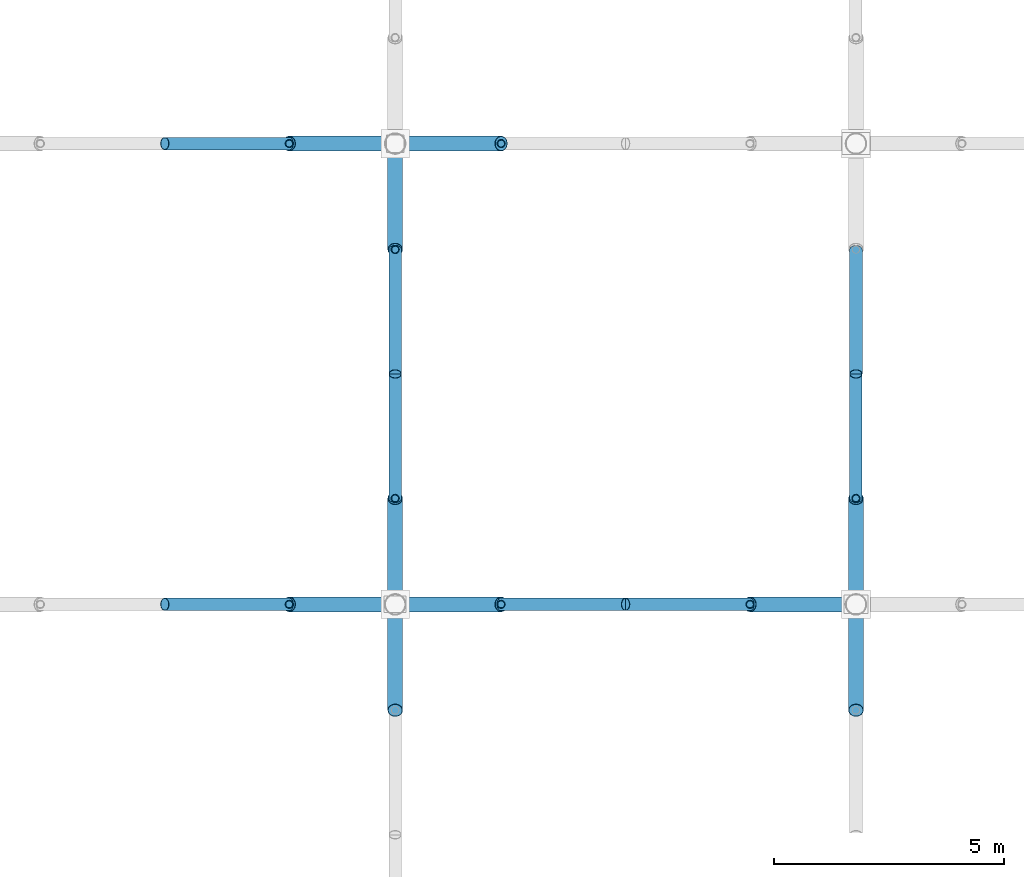
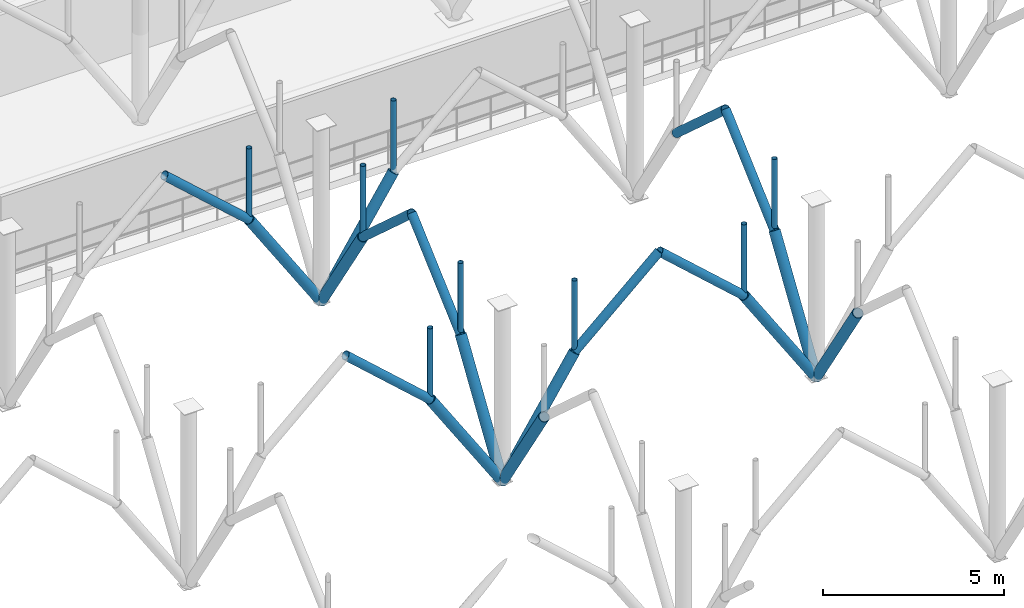
# One storey, part 56 of 109: 26 members.
"""IFC4 building model written with IfcOpenShell, lengths in metres."""

from ifc_helpers import new_model, si_unit, derived_unit, direction, frame, origin, origin_2d_with_axis, place, context, subcontext, project, spatial, hollow_circle, extrude, material, material_profile, profile_set, type_object, element, save


model = new_model("IFC4")

# Units and contexts
model_context = context("Model", 3, precision=1e-05, world=origin(), true_north=direction((0.0, 1.0)))
body_context = subcontext(model_context, "Body", "Model", "MODEL_VIEW")
ifc_project = project(units=[si_unit("LENGTHUNIT", "METRE"), si_unit("AREAUNIT", "SQUARE_METRE"), si_unit("VOLUMEUNIT", "CUBIC_METRE"), si_unit("PLANEANGLEUNIT", "RADIAN"), si_unit("MASSUNIT", "GRAM", prefix="KILO"), derived_unit("THERMALTRANSMITTANCEUNIT", [(si_unit("POWERUNIT", "WATT"), 1), (si_unit("LENGTHUNIT", "METRE"), -2), (si_unit("THERMODYNAMICTEMPERATUREUNIT", "KELVIN"), -1)])], contexts=[model_context])

# Site, building, storey
site_placement = place(None, origin())
site = spatial("IfcSite", under=ifc_project, at=site_placement, CompositionType="ELEMENT")
building_placement = place(site_placement, origin())
building = spatial("IfcBuilding", under=site, at=building_placement, Name="Cinnabar Yard Market Hall", CompositionType="ELEMENT")
storey_placement = place(building_placement, frame((0.0, 0.0, 8.39990234375)))
storey = spatial("IfcBuildingStorey", under=building, at=storey_placement, Name="L02", CompositionType="ELEMENT", Elevation=8.39990234375)

# Members
ifc_material_1 = material(Name="Spotted-gum glulam-clad steel Grade 350 (350 MPa)", Category="steel")
ifc_material_profile_1 = material_profile(ifc_material_1, hollow_circle(Radius=0.136474609375, WallThickness=0.00927734375, at=origin_2d_with_axis()), Name="273.1x9.3CHS")
ifc_profile_set_1 = profile_set([ifc_material_profile_1], Name="Spotted-gum glulam-clad steel Grade 350 (350 MPa)")
member_type_1 = type_object("IfcMemberType", Name="MB-AR01", PredefinedType="USERDEFINED", material=ifc_profile_set_1)
for number, where, z_axis, x_axis, name in (
    (1, (118.300048828125, 44.0, 3.550048828125), (0.743297488271, 0.0, 0.668961018244), (0.0, 1.0, 0.0), "Pointed Arch Rib 0071"),
    (2, (113.699951171875, 44.0, 3.550048828125), (-0.743297488271, 0.0, 0.668961018244), (0.0, -1.0, 0.0), "Pointed Arch Rib 0072"),
    (3, (116.0, 46.300048828125, 3.550048828125), (0.0, 0.743297488271, 0.668961018244), (-1.0, 0.0, 0.0), "Pointed Arch Rib 0073"),
    (4, (113.699951171875, 54.0, 3.550048828125), (-0.743297488271, 0.0, 0.668961018244), (0.0, -1.0, 0.0), "Pointed Arch Rib 0076"),
    (5, (116.0, 51.699951171875, 3.550048828125), (0.0, -0.743297488271, 0.668961018244), (1.0, 0.0, 0.0), "Pointed Arch Rib 0078"),
    (6, (123.699951171875, 44.0, 3.550048828125), (-0.743297488271, 0.0, 0.668961018244), (0.0, -1.0, 0.0), "Pointed Arch Rib 0090"),
    (7, (126.0, 46.300048828125, 3.550048828125), (0.0, 0.743297488271, 0.668961018244), (-1.0, 0.0, 0.0), "Pointed Arch Rib 0091"),
    (8, (126.0, 51.699951171875, 3.550048828125), (0.0, -0.743297488271, 0.668961018244), (1.0, 0.0, 0.0), "Pointed Arch Rib 0096"),
):
    element("IfcMember", number, at=place(storey_placement, frame(where, z_axis=z_axis, x_axis=x_axis)), inside=storey, type_object=member_type_1, Name=name, ObjectType="ARCH RIB", PredefinedType="USERDEFINED", context=body_context, shape_type="SweptSolid", body=[
        extrude(hollow_circle(Radius=0.136474609375, WallThickness=0.00927734375, at=origin_2d_with_axis()), origin(), (0.0, 0.0, 1.0), 3.63232421875),
    ])
ifc_material_profile_2 = material_profile(ifc_material_1, hollow_circle(Radius=0.161865234375, WallThickness=0.009521484375, at=origin_2d_with_axis()), Name="323.9x9.5CHS")
ifc_profile_set_2 = profile_set([ifc_material_profile_2], Name="Spotted-gum glulam-clad steel Grade 350 (350 MPa)")
member_type_2 = type_object("IfcMemberType", Name="MB-ST01", PredefinedType="STRUT", material=ifc_profile_set_2)
for number, where, z_axis, x_axis, name in (
    (9, (116.0, 44.0, 0.0), (0.543744165176, 0.0, 0.839251024925), (0.0, 1.0, 0.0), "Curved Branch Arm Lower 0071"),
    (10, (116.0, 44.0, 0.0), (-0.543744165176, 0.0, 0.839251024925), (0.0, -1.0, 0.0), "Curved Branch Arm Lower 0072"),
    (11, (116.0, 44.0, 0.0), (0.0, 0.543744165176, 0.839251024925), (-1.0, 0.0, 0.0), "Curved Branch Arm Lower 0073"),
    (12, (116.0, 44.0, 0.0), (0.0, -0.543744165176, 0.839251024925), (1.0, 0.0, 0.0), "Curved Branch Arm Lower 0074"),
    (13, (116.0, 54.0, 0.0), (0.543744165176, 0.0, 0.839251024925), (0.0, 1.0, 0.0), "Curved Branch Arm Lower 0075"),
    (14, (116.0, 54.0, 0.0), (-0.543744165176, 0.0, 0.839251024925), (0.0, -1.0, 0.0), "Curved Branch Arm Lower 0076"),
    (15, (116.0, 54.0, 0.0), (0.0, -0.543744165176, 0.839251024925), (1.0, 0.0, 0.0), "Curved Branch Arm Lower 0078"),
    (16, (126.0, 44.0, 0.0), (-0.543744165176, 0.0, 0.839251024925), (0.0, -1.0, 0.0), "Curved Branch Arm Lower 0090"),
    (17, (126.0, 44.0, 0.0), (0.0, 0.543744165176, 0.839251024925), (-1.0, 0.0, 0.0), "Curved Branch Arm Lower 0091"),
    (18, (126.0, 44.0, 0.0), (0.0, -0.543744165176, 0.839251024925), (1.0, 0.0, 0.0), "Curved Branch Arm Lower 0092"),
):
    element("IfcMember", number, at=place(storey_placement, frame(where, z_axis=z_axis, x_axis=x_axis)), inside=storey, type_object=member_type_2, Name=name, PredefinedType="STRUT", context=body_context, shape_type="SweptSolid", body=[
        extrude(hollow_circle(Radius=0.161865234375, WallThickness=0.009521484375, at=origin_2d_with_axis()), origin(), (0.0, 0.0, 1.0), 4.22998046875),
    ])
ifc_material_2 = material(Name="Cold-formed steel C350L0", Category="steel")
ifc_material_profile_3 = material_profile(ifc_material_2, hollow_circle(Radius=0.084228515625, WallThickness=0.00634765625, at=origin_2d_with_axis()), Name="168.3x6.4CHS")
ifc_profile_set_3 = profile_set([ifc_material_profile_3], Name="Cold-formed steel C350L0")
member_type_3 = type_object("IfcMemberType", Name="MB-WB01", PredefinedType="STRUT", material=ifc_profile_set_3)
for number, where, z_axis, x_axis, name in (
    (19, (118.300048828125, 44.0, 3.550048828125), (0.0, 0.0, 1.0), (1.0, 0.0, 0.0), "Arch Spandrel Post 0071"),
    (20, (113.699951171875, 44.0, 3.550048828125), (0.0, 0.0, 1.0), (1.0, 0.0, 0.0), "Arch Spandrel Post 0072"),
    (21, (116.0, 46.300048828125, 3.550048828125), (0.0, 0.0, 1.0), (1.0, 0.0, 0.0), "Arch Spandrel Post 0073"),
    (22, (118.300048828125, 54.0, 3.550048828125), (0.0, 0.0, 1.0), (1.0, 0.0, 0.0), "Arch Spandrel Post 0075"),
    (23, (113.699951171875, 54.0, 3.550048828125), (0.0, 0.0, 1.0), (1.0, 0.0, 0.0), "Arch Spandrel Post 0076"),
    (24, (116.0, 51.699951171875, 3.550048828125), (0.0, 0.0, 1.0), (1.0, 0.0, 0.0), "Arch Spandrel Post 0078"),
    (25, (123.699951171875, 44.0, 3.550048828125), (0.0, 0.0, 1.0), (1.0, 0.0, 0.0), "Arch Spandrel Post 0090"),
    (26, (126.0, 46.300048828125, 3.550048828125), (0.0, 0.0, 1.0), (1.0, 0.0, 0.0), "Arch Spandrel Post 0091"),
):
    element("IfcMember", number, at=place(storey_placement, frame(where, z_axis=z_axis, x_axis=x_axis)), inside=storey, type_object=member_type_3, Name=name, PredefinedType="STRUT", context=body_context, shape_type="SweptSolid", body=[
        extrude(hollow_circle(Radius=0.084228515625, WallThickness=0.00634765625, at=origin_2d_with_axis()), origin(), (0.0, 0.0, 1.0), 2.429931640625),
    ])

save(model, "model.ifc")
